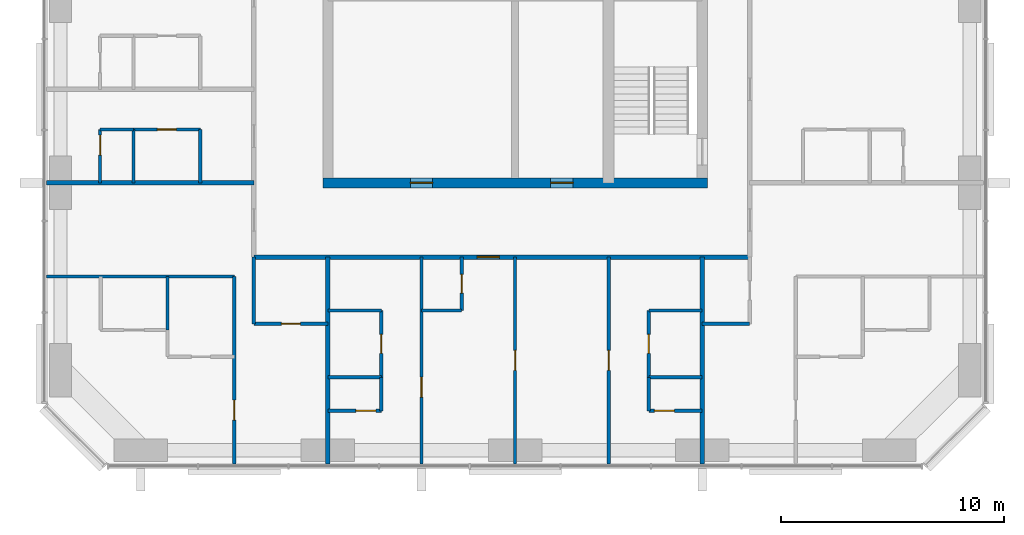
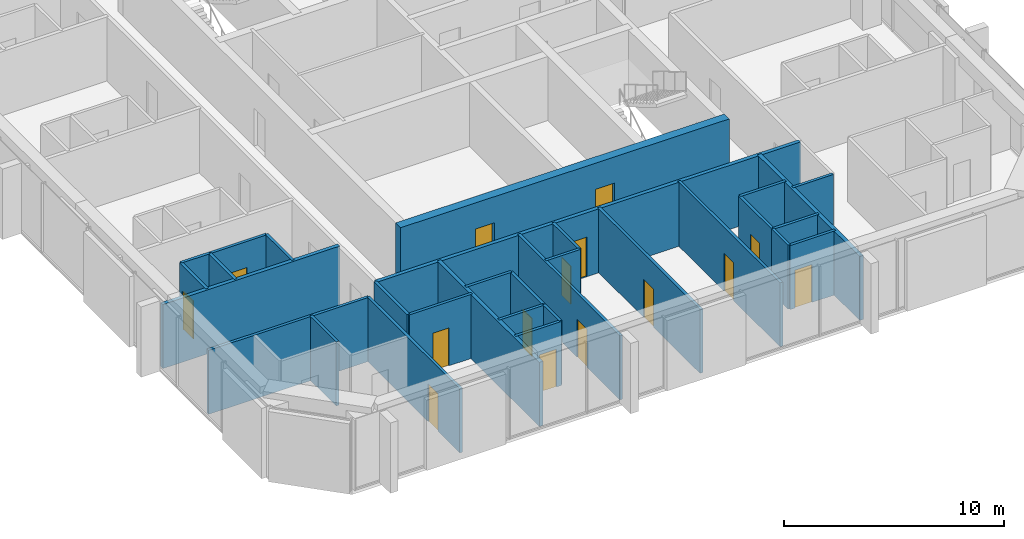
# One storey, part 7 of 13: 31 walls, 15 doors, 15 openings.
"""IFC4 building model written with IfcOpenShell, lengths in metres."""

from ifc_helpers import new_model, si_unit, direction, frame, frame_2d, origin, place, context, subcontext, project, spatial, rectangle, extrude, material, layer, layer_set, type_object, element, fill, save


model = new_model("IFC4")

# Units and contexts
model_context = context("Model", 3, precision=1e-05, world=origin(), true_north=direction((0.0, 1.0)))
body_context = subcontext(model_context, "Body", "Model", "MODEL_VIEW")
ifc_project = project(units=[si_unit("LENGTHUNIT", "METRE"), si_unit("AREAUNIT", "SQUARE_METRE"), si_unit("VOLUMEUNIT", "CUBIC_METRE"), si_unit("PLANEANGLEUNIT", "RADIAN"), si_unit("MASSUNIT", "GRAM", prefix="KILO")], contexts=[model_context])

# Site, building, storey
site_placement = place(None, origin())
site = spatial("IfcSite", under=ifc_project, at=site_placement, CompositionType="ELEMENT")
building_placement = place(site_placement, origin())
building = spatial("IfcBuilding", under=site, at=building_placement, Name="Dunama Terrace Hotel", CompositionType="ELEMENT")
storey_placement = place(building_placement, frame((0.0, 0.0, 280.199951171875)))
storey = spatial("IfcBuildingStorey", under=building, at=storey_placement, Name="L72", CompositionType="ELEMENT", Elevation=280.199951171875)

# Walls
ifc_material_1 = material(Name="Gypsum board partition", Category="masonry")
ifc_layer_1 = layer(ifc_material_1, 0.14990234375)
ifc_layer_set_1 = layer_set([ifc_layer_1], Name="Bathroom partition 150")
wall_type_1 = type_object("IfcWallType", Name="Bathroom partition 150", PredefinedType="PARTITIONING", material=ifc_layer_set_1)
wall_1_placement = place(storey_placement, frame((19.47509765625, 16.800048828125, 0.0), z_axis=(0.0, 0.0, 1.0), x_axis=(0.0, 1.0, 0.0)))
element("IfcWall", 1, at=wall_1_placement, inside=storey, type_object=wall_type_1, Name="Bathroom partition 150 L72", PredefinedType="PARTITIONING", context=body_context, shape_type="SweptSolid", body=[
    extrude(rectangle(XDim=2.39990234375, YDim=0.14990234375, at=frame_2d((1.199951171875, 0.0))), origin(), (0.0, 0.0, 1.0), 3.550048828125),
])
wall_2_placement = place(storey_placement, frame((21.875, 10.47509765625, 0.0), z_axis=(0.0, 0.0, 1.0), x_axis=(0.0, 1.0, 0.0)))
element("IfcWall", 2, at=wall_2_placement, inside=storey, type_object=wall_type_1, Name="Bathroom partition 150 L72", PredefinedType="PARTITIONING", context=body_context, shape_type="SweptSolid", body=[
    extrude(rectangle(XDim=3.0, YDim=0.14990234375, at=frame_2d((1.5, 0.0))), origin(), (0.0, 0.0, 1.0), 3.550048828125),
])

# Wall, opening, door
wall_3_placement = place(storey_placement, frame((27.60009765625, 8.074951171875, 0.0), z_axis=(0.0, 0.0, 1.0), x_axis=(0.0, 1.0, 0.0)))
wall_3 = element("IfcWall", 3, at=wall_3_placement, inside=storey, type_object=wall_type_1, Name="Bathroom partition 150 L72", PredefinedType="PARTITIONING", context=body_context, shape_type="SweptSolid", body=[
    extrude(rectangle(XDim=3.0, YDim=0.14990234375, at=frame_2d((1.5, 0.0))), origin(), (0.0, 0.0, 1.0), 3.550048828125),
])
opening_1_placement = place(wall_3_placement, frame((1.074951171875, 0.0, 0.0)))
opening_1 = element("IfcOpeningElement", 4, at=opening_1_placement, cuts=wall_3, Name="Opening L71-72-010", PredefinedType="OPENING", context=body_context, shape_type="SweptSolid", body=[
    extrude(rectangle(XDim=0.85009765625, YDim=2.10009765625, at=frame_2d((0.425048828125, 1.050048828125))), frame((0.0, 0.0849609375, 0.0), z_axis=(0.0, -1.0, 0.0), x_axis=(1.0, 0.0, 0.0)), (0.0, 0.0, 1.0), 0.169921875),
])
ifc_material_2 = material(Name="Timber door with steel frame", Category="steel")
door_type_1 = type_object("IfcDoorType", Name="Bathroom door 850", OperationType="SINGLE_SWING_LEFT", PredefinedType="DOOR", material=ifc_material_2)
door_1_placement = place(opening_1_placement, origin())
door_1 = element("IfcDoor", 5, at=door_1_placement, inside=storey, type_object=door_type_1, Name="Door to en-suite bathroom L71-72-010, type D2", OperationType="SINGLE_SWING_LEFT", OverallHeight=2.10009765625, OverallWidth=0.85009765625, PredefinedType="DOOR", context=body_context, shape_type="SweptSolid", body=[
    extrude(rectangle(XDim=0.85009765625, YDim=2.10009765625, at=frame_2d((0.425048828125, 1.050048828125))), frame((0.0, 0.02490234375, 0.0), z_axis=(0.0, -1.0, 0.0), x_axis=(1.0, 0.0, 0.0)), (0.0, 0.0, 1.0), 0.050048828125),
])
fill(opening_1, door_1)

wall_4_placement = place(storey_placement, frame((31.199951171875, 11.074951171875, 0.0), z_axis=(0.0, 0.0, 1.0), x_axis=(0.0, 1.0, 0.0)))
wall_4 = element("IfcWall", 6, at=wall_4_placement, inside=storey, type_object=wall_type_1, Name="Bathroom partition 150 L72", PredefinedType="PARTITIONING", context=body_context, shape_type="SweptSolid", body=[
    extrude(rectangle(XDim=2.400146484375, YDim=0.14990234375, at=frame_2d((1.2001953125, 0.0))), origin(), (0.0, 0.0, 1.0), 3.550048828125),
])
opening_2_placement = place(wall_4_placement, frame((0.77490234375, 0.0, 0.0)))
opening_2 = element("IfcOpeningElement", 7, at=opening_2_placement, cuts=wall_4, Name="Opening L71-72-008", PredefinedType="OPENING", context=body_context, shape_type="SweptSolid", body=[
    extrude(rectangle(XDim=0.85009765625, YDim=2.10009765625, at=frame_2d((0.425048828125, 1.050048828125))), frame((0.0, 0.0849609375, 0.0), z_axis=(0.0, -1.0, 0.0), x_axis=(1.0, 0.0, 0.0)), (0.0, 0.0, 1.0), 0.169921875),
])
door_2_placement = place(opening_2_placement, origin())
door_2 = element("IfcDoor", 8, at=door_2_placement, inside=storey, type_object=door_type_1, Name="Door to powder room L71-72-008, type D2", OperationType="SINGLE_SWING_RIGHT", OverallHeight=2.10009765625, OverallWidth=0.85009765625, PredefinedType="DOOR", context=body_context, shape_type="SweptSolid", body=[
    extrude(rectangle(XDim=0.85009765625, YDim=2.10009765625, at=frame_2d((0.425048828125, 1.050048828125))), frame((0.0, 0.02490234375, 0.0), z_axis=(0.0, -1.0, 0.0), x_axis=(1.0, 0.0, 0.0)), (0.0, 0.0, 1.0), 0.050048828125),
])
fill(opening_2, door_2)

wall_5_placement = place(storey_placement, frame((39.60009765625, 8.074951171875, 0.0), z_axis=(0.0, 0.0, 1.0), x_axis=(0.0, 1.0, 0.0)))
wall_5 = element("IfcWall", 9, at=wall_5_placement, inside=storey, type_object=wall_type_1, Name="Bathroom partition 150 L72", PredefinedType="PARTITIONING", context=body_context, shape_type="SweptSolid", body=[
    extrude(rectangle(XDim=3.0, YDim=0.14990234375, at=frame_2d((1.5, 0.0))), origin(), (0.0, 0.0, 1.0), 3.550048828125),
])
opening_3_placement = place(wall_5_placement, frame((1.074951171875, 0.0, 0.0)))
opening_3 = element("IfcOpeningElement", 10, at=opening_3_placement, cuts=wall_5, Name="Opening L71-72-014", PredefinedType="OPENING", context=body_context, shape_type="SweptSolid", body=[
    extrude(rectangle(XDim=0.85009765625, YDim=2.10009765625, at=frame_2d((0.425048828125, 1.050048828125))), frame((0.0, 0.0849609375, 0.0), z_axis=(0.0, -1.0, 0.0), x_axis=(1.0, 0.0, 0.0)), (0.0, 0.0, 1.0), 0.169921875),
])
door_3_placement = place(opening_3_placement, frame((0.85009765625, 0.0, 0.0), z_axis=(0.0, 0.0, 1.0), x_axis=(-1.0, 0.0, 0.0)))
door_3 = element("IfcDoor", 11, at=door_3_placement, inside=storey, type_object=door_type_1, Name="Door to en-suite bathroom L71-72-014, type D2", OperationType="SINGLE_SWING_RIGHT", OverallHeight=2.10009765625, OverallWidth=0.85009765625, PredefinedType="DOOR", context=body_context, shape_type="SweptSolid", body=[
    extrude(rectangle(XDim=0.85009765625, YDim=2.10009765625, at=frame_2d((0.425048828125, 1.050048828125))), frame((0.0, 0.025146484375, 0.0), z_axis=(0.0, -1.0, 0.0), x_axis=(1.0, 0.0, 0.0)), (0.0, 0.0, 1.0), 0.050048828125),
])
fill(opening_3, door_3)

wall_6_placement = place(storey_placement, frame((21.875, 10.47509765625, 0.0), z_axis=(0.0, 0.0, 1.0), x_axis=(1.0, 0.0, 0.0)))
wall_6 = element("IfcWall", 12, at=wall_6_placement, inside=storey, type_object=wall_type_1, Name="Bathroom partition 150 L72", PredefinedType="PARTITIONING", context=body_context, shape_type="SweptSolid", body=[
    extrude(rectangle(XDim=3.324951171875, YDim=0.14990234375, at=frame_2d((1.66259765625, 0.0))), origin(), (0.0, 0.0, 1.0), 3.550048828125),
])
opening_4_placement = place(wall_6_placement, frame((1.238037109375, 0.0, 0.0)))
opening_4 = element("IfcOpeningElement", 13, at=opening_4_placement, cuts=wall_6, Name="Opening L71-72-048", PredefinedType="OPENING", context=body_context, shape_type="SweptSolid", body=[
    extrude(rectangle(XDim=0.85009765625, YDim=2.10009765625, at=frame_2d((0.425048828125, 1.050048828125))), frame((0.0, 0.0849609375, 0.0), z_axis=(0.0, -1.0, 0.0), x_axis=(1.0, 0.0, 0.0)), (0.0, 0.0, 1.0), 0.169921875),
])
door_4_placement = place(opening_4_placement, origin())
door_4 = element("IfcDoor", 14, at=door_4_placement, inside=storey, type_object=door_type_1, Name="Door to powder room L71-72-048, type D2", OperationType="SINGLE_SWING_RIGHT", OverallHeight=2.10009765625, OverallWidth=0.85009765625, PredefinedType="DOOR", context=body_context, shape_type="SweptSolid", body=[
    extrude(rectangle(XDim=0.85009765625, YDim=2.10009765625, at=frame_2d((0.425048828125, 1.050048828125))), frame((0.0, 0.02490234375, 0.0), z_axis=(0.0, -1.0, 0.0), x_axis=(1.0, 0.0, 0.0)), (0.0, 0.0, 1.0), 0.050048828125),
])
fill(opening_4, door_4)

# Walls
wall_7_placement = place(storey_placement, frame((42.0, 10.47509765625, 0.0), z_axis=(0.0, 0.0, 1.0), x_axis=(1.0, 0.0, 0.0)))
element("IfcWall", 15, at=wall_7_placement, inside=storey, type_object=wall_type_1, Name="Bathroom partition 150 L72", PredefinedType="PARTITIONING", context=body_context, shape_type="SweptSolid", body=[
    extrude(rectangle(XDim=2.125, YDim=0.14990234375, at=frame_2d((1.0625, 0.0))), origin(), (0.0, 0.0, 1.0), 3.550048828125),
])
wall_8_placement = place(storey_placement, frame((25.199951171875, 11.074951171875, 0.0), z_axis=(0.0, 0.0, 1.0), x_axis=(1.0, 0.0, 0.0)))
element("IfcWall", 16, at=wall_8_placement, inside=storey, type_object=wall_type_1, Name="Bathroom partition 150 L72", PredefinedType="PARTITIONING", context=body_context, shape_type="SweptSolid", body=[
    extrude(rectangle(XDim=2.400146484375, YDim=0.14990234375, at=frame_2d((1.2001953125, 0.0))), origin(), (0.0, 0.0, 1.0), 3.550048828125),
])
wall_9_placement = place(storey_placement, frame((29.39990234375, 11.074951171875, 0.0), z_axis=(0.0, 0.0, 1.0), x_axis=(1.0, 0.0, 0.0)))
element("IfcWall", 17, at=wall_9_placement, inside=storey, type_object=wall_type_1, Name="Bathroom partition 150 L72", PredefinedType="PARTITIONING", context=body_context, shape_type="SweptSolid", body=[
    extrude(rectangle(XDim=1.800048828125, YDim=0.14990234375, at=frame_2d((0.89990234375, 0.0))), origin(), (0.0, 0.0, 1.0), 3.550048828125),
])
wall_10_placement = place(storey_placement, frame((39.60009765625, 11.074951171875, 0.0), z_axis=(0.0, 0.0, 1.0), x_axis=(1.0, 0.0, 0.0)))
element("IfcWall", 18, at=wall_10_placement, inside=storey, type_object=wall_type_1, Name="Bathroom partition 150 L72", PredefinedType="PARTITIONING", context=body_context, shape_type="SweptSolid", body=[
    extrude(rectangle(XDim=2.39990234375, YDim=0.14990234375, at=frame_2d((1.199951171875, 0.0))), origin(), (0.0, 0.0, 1.0), 3.550048828125),
])

# Wall, opening, door
wall_11_placement = place(storey_placement, frame((16.47509765625, 19.199951171875, 0.0), z_axis=(0.0, 0.0, 1.0), x_axis=(1.0, 0.0, 0.0)))
wall_11 = element("IfcWall", 19, at=wall_11_placement, inside=storey, type_object=wall_type_1, Name="Bathroom partition 150 L72", PredefinedType="PARTITIONING", context=body_context, shape_type="SweptSolid", body=[
    extrude(rectangle(XDim=3.0, YDim=0.14990234375, at=frame_2d((1.5, 0.0))), origin(), (0.0, 0.0, 1.0), 3.550048828125),
])
opening_5_placement = place(wall_11_placement, frame((1.074951171875, 0.0, 0.0)))
opening_5 = element("IfcOpeningElement", 20, at=opening_5_placement, cuts=wall_11, Name="Opening L71-72-036", PredefinedType="OPENING", context=body_context, shape_type="SweptSolid", body=[
    extrude(rectangle(XDim=0.85009765625, YDim=2.10009765625, at=frame_2d((0.425048828125, 1.050048828125))), frame((0.0, 0.0849609375, 0.0), z_axis=(0.0, -1.0, 0.0), x_axis=(1.0, 0.0, 0.0)), (0.0, 0.0, 1.0), 0.169921875),
])
door_5_placement = place(opening_5_placement, frame((0.85009765625, 0.0, 0.0), z_axis=(0.0, 0.0, 1.0), x_axis=(-1.0, 0.0, 0.0)))
door_5 = element("IfcDoor", 21, at=door_5_placement, inside=storey, type_object=door_type_1, Name="Door to en-suite bathroom L71-72-036, type D2", OperationType="SINGLE_SWING_RIGHT", OverallHeight=2.10009765625, OverallWidth=0.85009765625, PredefinedType="DOOR", context=body_context, shape_type="SweptSolid", body=[
    extrude(rectangle(XDim=0.85009765625, YDim=2.10009765625, at=frame_2d((0.425048828125, 1.050048828125))), frame((0.0, 0.025146484375, 0.0), z_axis=(0.0, -1.0, 0.0), x_axis=(1.0, 0.0, 0.0)), (0.0, 0.0, 1.0), 0.050048828125),
])
fill(opening_5, door_5)

# Wall, openings, doors
ifc_material_3 = material(Name="Concrete C50/60", Category="concrete")
ifc_layer_2 = layer(ifc_material_3, 0.449951171875)
ifc_layer_set_2 = layer_set([ifc_layer_2], Name="Core wall 450")
wall_type_2 = type_object("IfcWallType", Name="Core wall 450", PredefinedType="SHEAR", material=ifc_layer_set_2)
wall_12_placement = place(storey_placement, frame((24.97509765625, 16.800048828125, -0.349853515625), z_axis=(0.0, 0.0, 1.0), x_axis=(1.0, 0.0, 0.0)))
wall_12 = element("IfcWall", 22, at=wall_12_placement, inside=storey, type_object=wall_type_2, Name="Core wall south L72", PredefinedType="SHEAR", context=body_context, shape_type="SweptSolid", body=[
    extrude(rectangle(XDim=17.25, YDim=0.449951171875, at=frame_2d((8.625, 0.0))), origin(), (0.0, 0.0, 1.0), 3.89990234375),
])
opening_6_placement = place(wall_12_placement, frame((3.925048828125, 0.0, 0.35009765625)))
opening_6 = element("IfcOpeningElement", 23, at=opening_6_placement, cuts=wall_12, Name="Opening L71-72-076", PredefinedType="OPENING", context=body_context, shape_type="SweptSolid", body=[
    extrude(rectangle(XDim=1.0, YDim=2.10009765625, at=frame_2d((0.5, 1.050048828125))), frame((0.0, 0.23486328125, 0.0), z_axis=(0.0, -1.0, 0.0), x_axis=(1.0, 0.0, 0.0)), (0.0, 0.0, 1.0), 0.469970703125),
])
opening_7_placement = place(wall_12_placement, frame((10.22509765625, 0.0, 0.35009765625)))
opening_7 = element("IfcOpeningElement", 24, at=opening_7_placement, cuts=wall_12, Name="Opening L71-72-077", PredefinedType="OPENING", context=body_context, shape_type="SweptSolid", body=[
    extrude(rectangle(XDim=1.0, YDim=2.10009765625, at=frame_2d((0.5, 1.050048828125))), frame((0.0, 0.23486328125, 0.0), z_axis=(0.0, -1.0, 0.0), x_axis=(1.0, 0.0, 0.0)), (0.0, 0.0, 1.0), 0.469970703125),
])
ifc_material_4 = material(Name="Timber door with steel frame", Category="steel")
door_type_2 = type_object("IfcDoorType", Name="Service door 1000", OperationType="SINGLE_SWING_LEFT", PredefinedType="DOOR", material=ifc_material_4)
door_6_placement = place(opening_6_placement, origin())
door_6 = element("IfcDoor", 25, at=door_6_placement, inside=storey, type_object=door_type_2, Name="Door to corridor air handling room L71-72-076, type D7", OperationType="SINGLE_SWING_LEFT", OverallHeight=2.10009765625, OverallWidth=1.0, PredefinedType="DOOR", context=body_context, shape_type="SweptSolid", body=[
    extrude(rectangle(XDim=1.0, YDim=2.10009765625, at=frame_2d((0.5, 1.050048828125))), frame((0.0, 0.02490234375, 0.0), z_axis=(0.0, -1.0, 0.0), x_axis=(1.0, 0.0, 0.0)), (0.0, 0.0, 1.0), 0.050048828125),
])
fill(opening_6, door_6)
door_7_placement = place(opening_7_placement, origin())
door_7 = element("IfcDoor", 26, at=door_7_placement, inside=storey, type_object=door_type_2, Name="Door to water riser room L71-72-077, type D7", OperationType="SINGLE_SWING_RIGHT", OverallHeight=2.10009765625, OverallWidth=1.0, PredefinedType="DOOR", context=body_context, shape_type="SweptSolid", body=[
    extrude(rectangle(XDim=1.0, YDim=2.10009765625, at=frame_2d((0.5, 1.050048828125))), frame((0.0, 0.02490234375, 0.0), z_axis=(0.0, -1.0, 0.0), x_axis=(1.0, 0.0, 0.0)), (0.0, 0.0, 1.0), 0.050048828125),
])
fill(opening_7, door_7)

# Wall, opening, door
ifc_material_5 = material(Name="Concrete blockwork", Category="masonry")
ifc_layer_3 = layer(ifc_material_5, 0.199951171875)
ifc_layer_set_3 = layer_set([ifc_layer_3], Name="Corridor partition 200")
wall_type_3 = type_object("IfcWallType", Name="Corridor partition 200", PredefinedType="PARTITIONING", material=ifc_layer_set_3)
wall_13_placement = place(storey_placement, frame((44.125, 13.47509765625, 0.0), z_axis=(0.0, 0.0, 1.0), x_axis=(-1.0, 0.0, 0.0)))
wall_13 = element("IfcWall", 27, at=wall_13_placement, inside=storey, type_object=wall_type_3, Name="Corridor partition 200 L72", PredefinedType="PARTITIONING", context=body_context, shape_type="SweptSolid", body=[
    extrude(rectangle(XDim=22.25, YDim=0.199951171875, at=frame_2d((11.125, 0.0))), origin(), (0.0, 0.0, 1.0), 3.550048828125),
])
opening_8_placement = place(wall_13_placement, frame((11.22509765625, 0.0, 0.0)))
opening_8 = element("IfcOpeningElement", 28, at=opening_8_placement, cuts=wall_13, Name="Opening L71-72-007", PredefinedType="OPENING", context=body_context, shape_type="SweptSolid", body=[
    extrude(rectangle(XDim=1.0, YDim=2.199951171875, at=frame_2d((0.5, 1.10009765625))), frame((0.0, 0.10986328125, 0.0), z_axis=(0.0, -1.0, 0.0), x_axis=(1.0, 0.0, 0.0)), (0.0, 0.0, 1.0), 0.219970703125),
])
ifc_material_6 = material(Name="Timber door with steel frame", Category="steel")
door_type_3 = type_object("IfcDoorType", Name="Guest room door 1000", OperationType="SINGLE_SWING_LEFT", PredefinedType="DOOR", material=ifc_material_6)
door_8_placement = place(opening_8_placement, origin())
door_8 = element("IfcDoor", 29, at=door_8_placement, inside=storey, type_object=door_type_3, Name="Door to grand suite living room L71-72-007, type D1", OperationType="SINGLE_SWING_LEFT", OverallHeight=2.199951171875, OverallWidth=1.0, PredefinedType="DOOR", context=body_context, shape_type="SweptSolid", body=[
    extrude(rectangle(XDim=1.0, YDim=2.199951171875, at=frame_2d((0.5, 1.10009765625))), frame((0.0, 0.02490234375, 0.0), z_axis=(0.0, -1.0, 0.0), x_axis=(1.0, 0.0, 0.0)), (0.0, 0.0, 1.0), 0.050048828125),
])
fill(opening_8, door_8)

# Walls
ifc_material_7 = material(Name="Concrete blockwork", Category="masonry")
ifc_layer_4 = layer(ifc_material_7, 0.199951171875)
ifc_layer_set_4 = layer_set([ifc_layer_4], Name="Party wall 200")
wall_type_4 = type_object("IfcWallType", Name="Party wall 200", PredefinedType="PARTITIONING", material=ifc_layer_set_4)
for number, where, z_axis, x_axis, name in (
    (30, (25.199951171875, 4.181884765625, 0.0), (0.0, 0.0, 1.0), (0.0, 1.0, 0.0), "Party wall 200 L72"),
    (31, (42.0, 4.181884765625, 0.0), (0.0, 0.0, 1.0), (0.0, 1.0, 0.0), "Party wall 200 L72"),
):
    element("IfcWall", number, at=place(storey_placement, frame(where, z_axis=z_axis, x_axis=x_axis)), inside=storey, type_object=wall_type_4, Name=name, PredefinedType="PARTITIONING", context=body_context, shape_type="SweptSolid", body=[
        extrude(rectangle(XDim=9.293212890625, YDim=0.199951171875, at=frame_2d((4.646484375, 0.0))), origin(), (0.0, 0.0, 1.0), 3.550048828125),
    ])
wall_14_placement = place(storey_placement, frame((12.58203125, 16.800048828125, 0.0), z_axis=(0.0, 0.0, 1.0), x_axis=(1.0, 0.0, 0.0)))
element("IfcWall", 32, at=wall_14_placement, inside=storey, type_object=wall_type_4, Name="Party wall 200 L72", PredefinedType="PARTITIONING", context=body_context, shape_type="SweptSolid", body=[
    extrude(rectangle(XDim=9.29296875, YDim=0.199951171875, at=frame_2d((4.646484375, 0.0))), origin(), (0.0, 0.0, 1.0), 3.550048828125),
])

# Wall, opening, door
ifc_material_8 = material(Name="Gypsum board partition", Category="masonry")
ifc_layer_5 = layer(ifc_material_8, 0.14990234375)
ifc_layer_set_5 = layer_set([ifc_layer_5], Name="Room partition 150")
wall_type_5 = type_object("IfcWallType", Name="Room partition 150", PredefinedType="PARTITIONING", material=ifc_layer_set_5)
wall_15_placement = place(storey_placement, frame((14.97509765625, 16.800048828125, 0.0), z_axis=(0.0, 0.0, 1.0), x_axis=(0.0, 1.0, 0.0)))
wall_15 = element("IfcWall", 33, at=wall_15_placement, inside=storey, type_object=wall_type_5, Name="Room partition 150 L72", PredefinedType="PARTITIONING", context=body_context, shape_type="SweptSolid", body=[
    extrude(rectangle(XDim=2.39990234375, YDim=0.14990234375, at=frame_2d((1.199951171875, 0.0))), origin(), (0.0, 0.0, 1.0), 3.550048828125),
])
opening_9_placement = place(wall_15_placement, frame((1.25, 0.0, 0.0)))
opening_9 = element("IfcOpeningElement", 34, at=opening_9_placement, cuts=wall_15, Name="Opening L71-72-037", PredefinedType="OPENING", context=body_context, shape_type="SweptSolid", body=[
    extrude(rectangle(XDim=0.89990234375, YDim=2.10009765625, at=frame_2d((0.449951171875, 1.050048828125))), frame((0.0, 0.0849609375, 0.0), z_axis=(0.0, -1.0, 0.0), x_axis=(1.0, 0.0, 0.0)), (0.0, 0.0, 1.0), 0.169921875),
])
ifc_material_9 = material(Name="Timber door with steel frame", Category="steel")
door_type_4 = type_object("IfcDoorType", Name="Suite internal door 900", OperationType="SINGLE_SWING_LEFT", PredefinedType="DOOR", material=ifc_material_9)
door_9_placement = place(opening_9_placement, frame((0.89990234375, 0.0, 0.0), z_axis=(0.0, 0.0, 1.0), x_axis=(-1.0, 0.0, 0.0)))
door_9 = element("IfcDoor", 35, at=door_9_placement, inside=storey, type_object=door_type_4, Name="Door to walk-in wardrobe L71-72-037, type D16", OperationType="SINGLE_SWING_LEFT", OverallHeight=2.10009765625, OverallWidth=0.89990234375, PredefinedType="DOOR", context=body_context, shape_type="SweptSolid", body=[
    extrude(rectangle(XDim=0.89990234375, YDim=2.10009765625, at=frame_2d((0.449951171875, 1.050048828125))), frame((0.0, 0.025146484375, 0.0), z_axis=(0.0, -1.0, 0.0), x_axis=(1.0, 0.0, 0.0)), (0.0, 0.0, 1.0), 0.050048828125),
])
fill(opening_9, door_9)

# Walls
wall_16_placement = place(storey_placement, frame((16.47509765625, 16.800048828125, 0.0), z_axis=(0.0, 0.0, 1.0), x_axis=(0.0, 1.0, 0.0)))
element("IfcWall", 36, at=wall_16_placement, inside=storey, type_object=wall_type_5, Name="Room partition 150 L72", PredefinedType="PARTITIONING", context=body_context, shape_type="SweptSolid", body=[
    extrude(rectangle(XDim=2.39990234375, YDim=0.14990234375, at=frame_2d((1.199951171875, 0.0))), origin(), (0.0, 0.0, 1.0), 3.550048828125),
])
wall_17_placement = place(storey_placement, frame((18.0, 10.199951171875, 0.0), z_axis=(0.0, 0.0, 1.0), x_axis=(0.0, 1.0, 0.0)))
element("IfcWall", 37, at=wall_17_placement, inside=storey, type_object=wall_type_5, Name="Room partition 150 L72", PredefinedType="PARTITIONING", context=body_context, shape_type="SweptSolid", body=[
    extrude(rectangle(XDim=2.400146484375, YDim=0.14990234375, at=frame_2d((1.2001953125, 0.0))), origin(), (0.0, 0.0, 1.0), 3.550048828125),
])

# Wall, opening, door
wall_18_placement = place(storey_placement, frame((21.0, 4.181884765625, 0.0), z_axis=(0.0, 0.0, 1.0), x_axis=(0.0, 1.0, 0.0)))
wall_18 = element("IfcWall", 38, at=wall_18_placement, inside=storey, type_object=wall_type_5, Name="Room partition 150 L72", PredefinedType="PARTITIONING", context=body_context, shape_type="SweptSolid", body=[
    extrude(rectangle(XDim=8.418212890625, YDim=0.14990234375, at=frame_2d((4.208984375, 0.0))), origin(), (0.0, 0.0, 1.0), 3.550048828125),
])
opening_10_placement = place(wall_18_placement, frame((1.968017578125, 0.0, 0.0)))
opening_10 = element("IfcOpeningElement", 39, at=opening_10_placement, cuts=wall_18, Name="Opening L71-72-049", PredefinedType="OPENING", context=body_context, shape_type="SweptSolid", body=[
    extrude(rectangle(XDim=0.89990234375, YDim=2.10009765625, at=frame_2d((0.449951171875, 1.050048828125))), frame((0.0, 0.0849609375, 0.0), z_axis=(0.0, -1.0, 0.0), x_axis=(1.0, 0.0, 0.0)), (0.0, 0.0, 1.0), 0.169921875),
])
door_10_placement = place(opening_10_placement, origin())
door_10 = element("IfcDoor", 40, at=door_10_placement, inside=storey, type_object=door_type_4, Name="Door to grand corner suite bedroom L71-72-049, type D16", OperationType="SINGLE_SWING_RIGHT", OverallHeight=2.10009765625, OverallWidth=0.89990234375, PredefinedType="DOOR", context=body_context, shape_type="SweptSolid", body=[
    extrude(rectangle(XDim=0.89990234375, YDim=2.10009765625, at=frame_2d((0.449951171875, 1.050048828125))), frame((0.0, 0.02490234375, 0.0), z_axis=(0.0, -1.0, 0.0), x_axis=(1.0, 0.0, 0.0)), (0.0, 0.0, 1.0), 0.050048828125),
])
fill(opening_10, door_10)

# Wall
wall_19_placement = place(storey_placement, frame((27.60009765625, 6.574951171875, 0.0), z_axis=(0.0, 0.0, 1.0), x_axis=(0.0, 1.0, 0.0)))
element("IfcWall", 41, at=wall_19_placement, inside=storey, type_object=wall_type_5, Name="Room partition 150 L72", PredefinedType="PARTITIONING", context=body_context, shape_type="SweptSolid", body=[
    extrude(rectangle(XDim=1.5, YDim=0.14990234375, at=frame_2d((0.75, 0.0))), origin(), (0.0, 0.0, 1.0), 3.550048828125),
])

# Wall, opening, door
wall_20_placement = place(storey_placement, frame((29.39990234375, 4.181884765625, 0.0), z_axis=(0.0, 0.0, 1.0), x_axis=(0.0, 1.0, 0.0)))
wall_20 = element("IfcWall", 42, at=wall_20_placement, inside=storey, type_object=wall_type_5, Name="Room partition 150 L72", PredefinedType="PARTITIONING", context=body_context, shape_type="SweptSolid", body=[
    extrude(rectangle(XDim=9.293212890625, YDim=0.14990234375, at=frame_2d((4.646484375, 0.0))), origin(), (0.0, 0.0, 1.0), 3.550048828125),
])
opening_11_placement = place(wall_20_placement, frame((3.0048828125, 0.0, 0.0)))
opening_11 = element("IfcOpeningElement", 43, at=opening_11_placement, cuts=wall_20, Name="Opening L71-72-009", PredefinedType="OPENING", context=body_context, shape_type="SweptSolid", body=[
    extrude(rectangle(XDim=0.89990234375, YDim=2.10009765625, at=frame_2d((0.449951171875, 1.050048828125))), frame((0.0, 0.0849609375, 0.0), z_axis=(0.0, -1.0, 0.0), x_axis=(1.0, 0.0, 0.0)), (0.0, 0.0, 1.0), 0.169921875),
])
door_11_placement = place(opening_11_placement, origin())
door_11 = element("IfcDoor", 44, at=door_11_placement, inside=storey, type_object=door_type_4, Name="Door to grand suite bedroom L71-72-009, type D16", OperationType="SINGLE_SWING_RIGHT", OverallHeight=2.10009765625, OverallWidth=0.89990234375, PredefinedType="DOOR", context=body_context, shape_type="SweptSolid", body=[
    extrude(rectangle(XDim=0.89990234375, YDim=2.10009765625, at=frame_2d((0.449951171875, 1.050048828125))), frame((0.0, 0.02490234375, 0.0), z_axis=(0.0, -1.0, 0.0), x_axis=(1.0, 0.0, 0.0)), (0.0, 0.0, 1.0), 0.050048828125),
])
fill(opening_11, door_11)

wall_21_placement = place(storey_placement, frame((33.60009765625, 4.181884765625, 0.0), z_axis=(0.0, 0.0, 1.0), x_axis=(0.0, 1.0, 0.0)))
wall_21 = element("IfcWall", 45, at=wall_21_placement, inside=storey, type_object=wall_type_5, Name="Room partition 150 L72", PredefinedType="PARTITIONING", context=body_context, shape_type="SweptSolid", body=[
    extrude(rectangle(XDim=9.293212890625, YDim=0.14990234375, at=frame_2d((4.646484375, 0.0))), origin(), (0.0, 0.0, 1.0), 3.550048828125),
])
opening_12_placement = place(wall_21_placement, frame((4.2060546875, 0.0, 0.0)))
opening_12 = element("IfcOpeningElement", 46, at=opening_12_placement, cuts=wall_21, Name="Opening L71-72-012", PredefinedType="OPENING", context=body_context, shape_type="SweptSolid", body=[
    extrude(rectangle(XDim=0.89990234375, YDim=2.10009765625, at=frame_2d((0.449951171875, 1.050048828125))), frame((0.0, 0.0849609375, 0.0), z_axis=(0.0, -1.0, 0.0), x_axis=(1.0, 0.0, 0.0)), (0.0, 0.0, 1.0), 0.169921875),
])
door_12_placement = place(opening_12_placement, origin())
door_12 = element("IfcDoor", 47, at=door_12_placement, inside=storey, type_object=door_type_4, Name="Door to grand suite study L71-72-012, type D16", OperationType="SINGLE_SWING_RIGHT", OverallHeight=2.10009765625, OverallWidth=0.89990234375, PredefinedType="DOOR", context=body_context, shape_type="SweptSolid", body=[
    extrude(rectangle(XDim=0.89990234375, YDim=2.10009765625, at=frame_2d((0.449951171875, 1.050048828125))), frame((0.0, 0.02490234375, 0.0), z_axis=(0.0, -1.0, 0.0), x_axis=(1.0, 0.0, 0.0)), (0.0, 0.0, 1.0), 0.050048828125),
])
fill(opening_12, door_12)

wall_22_placement = place(storey_placement, frame((37.800048828125, 4.181884765625, 0.0), z_axis=(0.0, 0.0, 1.0), x_axis=(0.0, 1.0, 0.0)))
wall_22 = element("IfcWall", 48, at=wall_22_placement, inside=storey, type_object=wall_type_5, Name="Room partition 150 L72", PredefinedType="PARTITIONING", context=body_context, shape_type="SweptSolid", body=[
    extrude(rectangle(XDim=9.293212890625, YDim=0.14990234375, at=frame_2d((4.646484375, 0.0))), origin(), (0.0, 0.0, 1.0), 3.550048828125),
])
opening_13_placement = place(wall_22_placement, frame((4.2060546875, 0.0, 0.0)))
opening_13 = element("IfcOpeningElement", 49, at=opening_13_placement, cuts=wall_22, Name="Opening L71-72-013", PredefinedType="OPENING", context=body_context, shape_type="SweptSolid", body=[
    extrude(rectangle(XDim=0.89990234375, YDim=2.10009765625, at=frame_2d((0.449951171875, 1.050048828125))), frame((0.0, 0.0849609375, 0.0), z_axis=(0.0, -1.0, 0.0), x_axis=(1.0, 0.0, 0.0)), (0.0, 0.0, 1.0), 0.169921875),
])
door_13_placement = place(opening_13_placement, frame((0.89990234375, 0.0, 0.0), z_axis=(0.0, 0.0, 1.0), x_axis=(-1.0, 0.0, 0.0)))
door_13 = element("IfcDoor", 50, at=door_13_placement, inside=storey, type_object=door_type_4, Name="Door to grand suite second bedroom L71-72-013, type D16", OperationType="SINGLE_SWING_RIGHT", OverallHeight=2.10009765625, OverallWidth=0.89990234375, PredefinedType="DOOR", context=body_context, shape_type="SweptSolid", body=[
    extrude(rectangle(XDim=0.89990234375, YDim=2.10009765625, at=frame_2d((0.449951171875, 1.050048828125))), frame((0.0, 0.025146484375, 0.0), z_axis=(0.0, -1.0, 0.0), x_axis=(1.0, 0.0, 0.0)), (0.0, 0.0, 1.0), 0.050048828125),
])
fill(opening_13, door_13)

# Wall
wall_23_placement = place(storey_placement, frame((39.60009765625, 6.574951171875, 0.0), z_axis=(0.0, 0.0, 1.0), x_axis=(0.0, 1.0, 0.0)))
element("IfcWall", 51, at=wall_23_placement, inside=storey, type_object=wall_type_5, Name="Room partition 150 L72", PredefinedType="PARTITIONING", context=body_context, shape_type="SweptSolid", body=[
    extrude(rectangle(XDim=1.5, YDim=0.14990234375, at=frame_2d((0.75, 0.0))), origin(), (0.0, 0.0, 1.0), 3.550048828125),
])

# Wall, opening, door
wall_24_placement = place(storey_placement, frame((25.199951171875, 6.574951171875, 0.0), z_axis=(0.0, 0.0, 1.0), x_axis=(1.0, 0.0, 0.0)))
wall_24 = element("IfcWall", 52, at=wall_24_placement, inside=storey, type_object=wall_type_5, Name="Room partition 150 L72", PredefinedType="PARTITIONING", context=body_context, shape_type="SweptSolid", body=[
    extrude(rectangle(XDim=2.400146484375, YDim=0.14990234375, at=frame_2d((1.2001953125, 0.0))), origin(), (0.0, 0.0, 1.0), 3.550048828125),
])
opening_14_placement = place(wall_24_placement, frame((1.25, 0.0, 0.0)))
opening_14 = element("IfcOpeningElement", 53, at=opening_14_placement, cuts=wall_24, Name="Opening L71-72-011", PredefinedType="OPENING", context=body_context, shape_type="SweptSolid", body=[
    extrude(rectangle(XDim=0.89990234375, YDim=2.10009765625, at=frame_2d((0.449951171875, 1.050048828125))), frame((0.0, 0.0849609375, 0.0), z_axis=(0.0, -1.0, 0.0), x_axis=(1.0, 0.0, 0.0)), (0.0, 0.0, 1.0), 0.169921875),
])
door_14_placement = place(opening_14_placement, origin())
door_14 = element("IfcDoor", 54, at=door_14_placement, inside=storey, type_object=door_type_4, Name="Door to walk-in wardrobe L71-72-011, type D16", OperationType="SINGLE_SWING_RIGHT", OverallHeight=2.10009765625, OverallWidth=0.89990234375, PredefinedType="DOOR", context=body_context, shape_type="SweptSolid", body=[
    extrude(rectangle(XDim=0.89990234375, YDim=2.10009765625, at=frame_2d((0.449951171875, 1.050048828125))), frame((0.0, 0.02490234375, 0.0), z_axis=(0.0, -1.0, 0.0), x_axis=(1.0, 0.0, 0.0)), (0.0, 0.0, 1.0), 0.050048828125),
])
fill(opening_14, door_14)

wall_25_placement = place(storey_placement, frame((39.60009765625, 6.574951171875, 0.0), z_axis=(0.0, 0.0, 1.0), x_axis=(1.0, 0.0, 0.0)))
wall_25 = element("IfcWall", 55, at=wall_25_placement, inside=storey, type_object=wall_type_5, Name="Room partition 150 L72", PredefinedType="PARTITIONING", context=body_context, shape_type="SweptSolid", body=[
    extrude(rectangle(XDim=2.39990234375, YDim=0.14990234375, at=frame_2d((1.199951171875, 0.0))), origin(), (0.0, 0.0, 1.0), 3.550048828125),
])
opening_15_placement = place(wall_25_placement, frame((0.25, 0.0, 0.0)))
opening_15 = element("IfcOpeningElement", 56, at=opening_15_placement, cuts=wall_25, Name="Opening L71-72-015", PredefinedType="OPENING", context=body_context, shape_type="SweptSolid", body=[
    extrude(rectangle(XDim=0.89990234375, YDim=2.10009765625, at=frame_2d((0.449951171875, 1.050048828125))), frame((0.0, 0.0849609375, 0.0), z_axis=(0.0, -1.0, 0.0), x_axis=(1.0, 0.0, 0.0)), (0.0, 0.0, 1.0), 0.169921875),
])
door_15_placement = place(opening_15_placement, origin())
door_15 = element("IfcDoor", 57, at=door_15_placement, inside=storey, type_object=door_type_4, Name="Door to walk-in wardrobe L71-72-015, type D16", OperationType="SINGLE_SWING_LEFT", OverallHeight=2.10009765625, OverallWidth=0.89990234375, PredefinedType="DOOR", context=body_context, shape_type="SweptSolid", body=[
    extrude(rectangle(XDim=0.89990234375, YDim=2.10009765625, at=frame_2d((0.449951171875, 1.050048828125))), frame((0.0, 0.02490234375, 0.0), z_axis=(0.0, -1.0, 0.0), x_axis=(1.0, 0.0, 0.0)), (0.0, 0.0, 1.0), 0.050048828125),
])
fill(opening_15, door_15)

# Walls
wall_26_placement = place(storey_placement, frame((25.199951171875, 8.074951171875, 0.0), z_axis=(0.0, 0.0, 1.0), x_axis=(1.0, 0.0, 0.0)))
element("IfcWall", 58, at=wall_26_placement, inside=storey, type_object=wall_type_5, Name="Room partition 150 L72", PredefinedType="PARTITIONING", context=body_context, shape_type="SweptSolid", body=[
    extrude(rectangle(XDim=2.400146484375, YDim=0.14990234375, at=frame_2d((1.2001953125, 0.0))), origin(), (0.0, 0.0, 1.0), 3.550048828125),
])
wall_27_placement = place(storey_placement, frame((39.60009765625, 8.074951171875, 0.0), z_axis=(0.0, 0.0, 1.0), x_axis=(1.0, 0.0, 0.0)))
element("IfcWall", 59, at=wall_27_placement, inside=storey, type_object=wall_type_5, Name="Room partition 150 L72", PredefinedType="PARTITIONING", context=body_context, shape_type="SweptSolid", body=[
    extrude(rectangle(XDim=2.39990234375, YDim=0.14990234375, at=frame_2d((1.199951171875, 0.0))), origin(), (0.0, 0.0, 1.0), 3.550048828125),
])
wall_28_placement = place(storey_placement, frame((12.58203125, 12.60009765625, 0.0), z_axis=(0.0, 0.0, 1.0), x_axis=(1.0, 0.0, 0.0)))
element("IfcWall", 60, at=wall_28_placement, inside=storey, type_object=wall_type_5, Name="Room partition 150 L72", PredefinedType="PARTITIONING", context=body_context, shape_type="SweptSolid", body=[
    extrude(rectangle(XDim=8.41796875, YDim=0.14990234375, at=frame_2d((4.208984375, 0.0))), origin(), (0.0, 0.0, 1.0), 3.550048828125),
])
wall_29_placement = place(storey_placement, frame((14.97509765625, 19.199951171875, 0.0), z_axis=(0.0, 0.0, 1.0), x_axis=(1.0, 0.0, 0.0)))
element("IfcWall", 61, at=wall_29_placement, inside=storey, type_object=wall_type_5, Name="Room partition 150 L72", PredefinedType="PARTITIONING", context=body_context, shape_type="SweptSolid", body=[
    extrude(rectangle(XDim=1.5, YDim=0.14990234375, at=frame_2d((0.75, 0.0))), origin(), (0.0, 0.0, 1.0), 3.550048828125),
])

save(model, "model.ifc")
